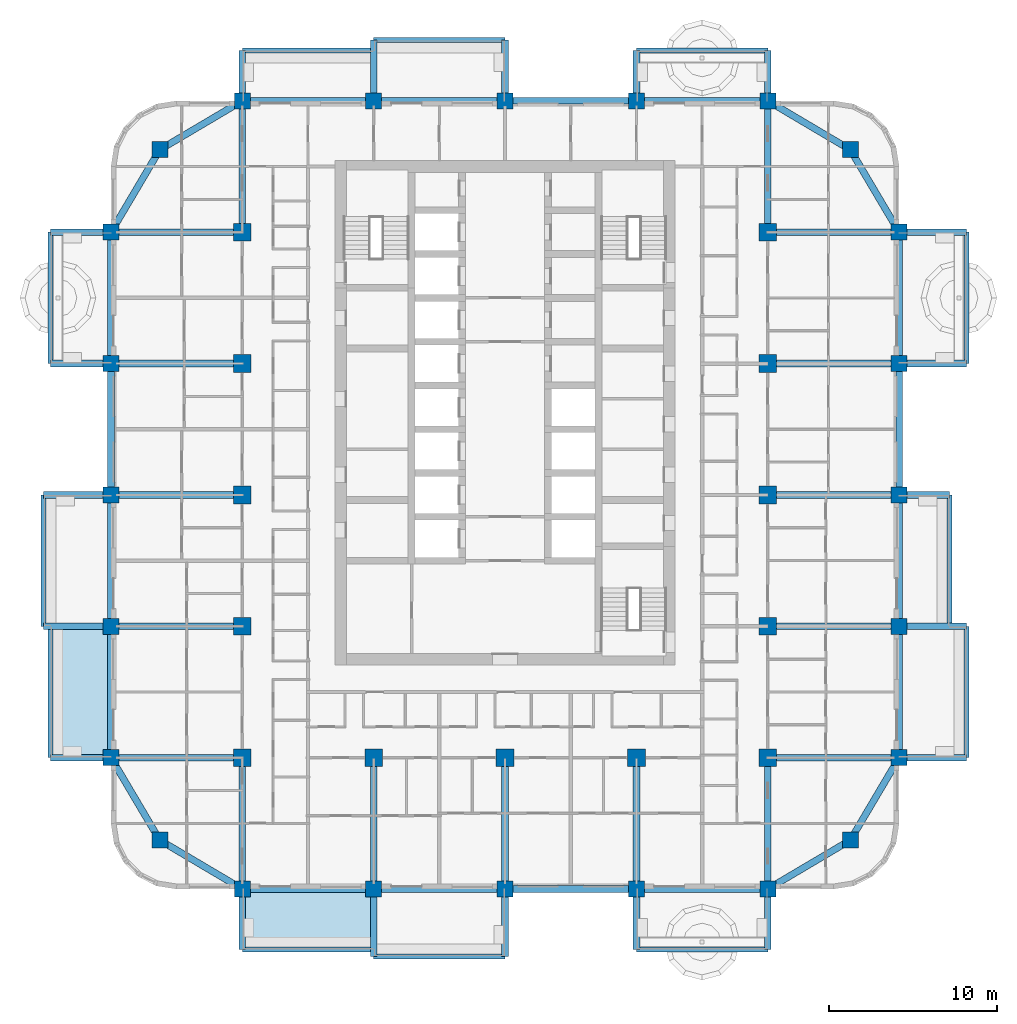
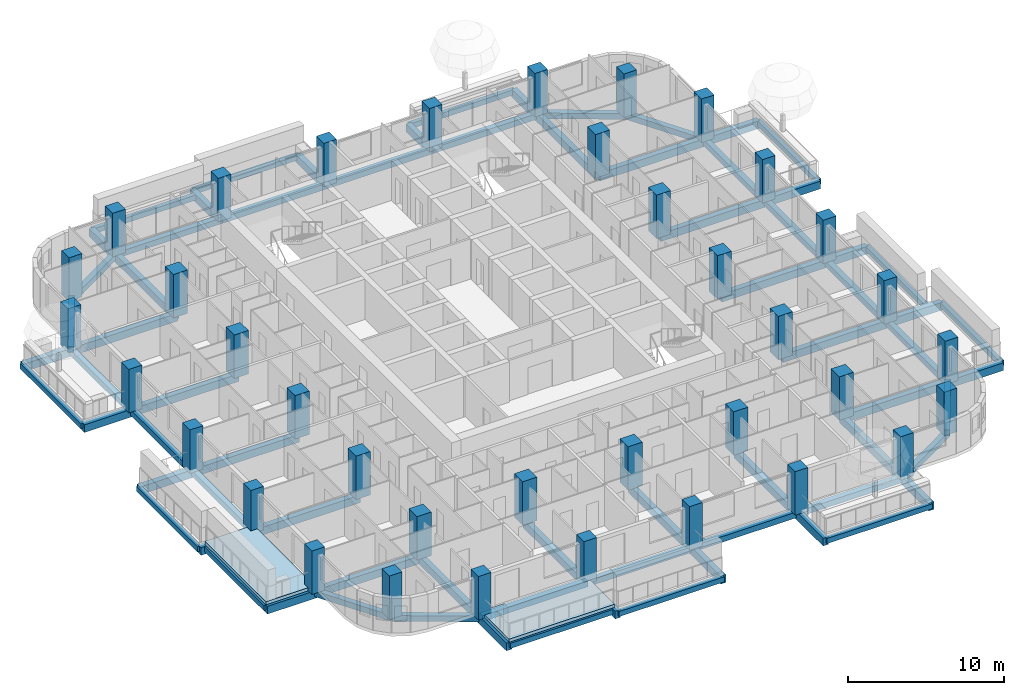
# One storey, part 1 of 19: 73 beams, 37 columns, 2 slabs.
"""IFC4 building model written with IfcOpenShell, lengths in metres."""

from ifc_helpers import new_model, si_unit, direction, frame, origin, origin_2d, place, context, subcontext, project, spatial, polyline, rectangle, outline, extrude, material, layer, layer_set, material_profile, profile_set, type_object, element, save


model = new_model("IFC4")

# Units and contexts
model_context = context("Model", 3, precision=1e-05, world=origin(), true_north=direction((0.0, 1.0)))
body_context = subcontext(model_context, "Body", "Model", "MODEL_VIEW")
ifc_project = project(units=[si_unit("LENGTHUNIT", "METRE"), si_unit("AREAUNIT", "SQUARE_METRE"), si_unit("VOLUMEUNIT", "CUBIC_METRE"), si_unit("PLANEANGLEUNIT", "RADIAN"), si_unit("MASSUNIT", "GRAM", prefix="KILO")], contexts=[model_context])

# Site, building, storey
site_placement = place(None, origin())
site = spatial("IfcSite", under=ifc_project, at=site_placement, CompositionType="ELEMENT")
building_placement = place(site_placement, origin())
building = spatial("IfcBuilding", under=site, at=building_placement, Name="Ludao Terraces", CompositionType="ELEMENT")
storey_placement = place(building_placement, frame((0.0, 0.0, 68.199951171875)))
storey = spatial("IfcBuildingStorey", under=building, at=storey_placement, Name="L18", CompositionType="ELEMENT", Elevation=68.199951171875)

# Columns
ifc_material_1 = material(Name="Concrete C55", Category="concrete")
ifc_material_profile_1 = material_profile(ifc_material_1, rectangle(XDim=1.050048828125, YDim=1.050048828125, at=origin_2d()), Name="1050 X 1050")
ifc_profile_set_1 = profile_set([ifc_material_profile_1], Name="Concrete C55")
column_type_1 = type_object("IfcColumnType", Name="RC column 1050x1050 C55", PredefinedType="COLUMN", material=ifc_profile_set_1)
for number, where, z_axis, x_axis, name in (
    (1, (69.39990234375, 49.39990234375, -0.25), (0.0, 0.0, 1.0), (1.0, 0.0, 0.0), "Column L18 S0078x0078"),
    (2, (69.39990234375, 57.199951171875, -0.25), (0.0, 0.0, 1.0), (1.0, 0.0, 0.0), "Column L18 S0078x0156"),
    (3, (69.39990234375, 65.0, -0.25), (0.0, 0.0, 1.0), (1.0, 0.0, 0.0), "Column L18 S0078x0234"),
    (4, (69.39990234375, 72.800048828125, -0.25), (0.0, 0.0, 1.0), (1.0, 0.0, 0.0), "Column L18 S0078x0312"),
    (5, (69.39990234375, 80.60009765625, -0.25), (0.0, 0.0, 1.0), (1.0, 0.0, 0.0), "Column L18 S0078x0390"),
    (6, (77.199951171875, 49.39990234375, -0.25), (0.0, 0.0, 1.0), (1.0, 0.0, 0.0), "Column L18 S0156x0078"),
    (7, (85.0, 49.39990234375, -0.25), (0.0, 0.0, 1.0), (1.0, 0.0, 0.0), "Column L18 S0234x0078"),
    (8, (92.800048828125, 49.39990234375, -0.25), (0.0, 0.0, 1.0), (1.0, 0.0, 0.0), "Column L18 S0312x0078"),
    (9, (100.60009765625, 49.39990234375, -0.25), (0.0, 0.0, 1.0), (1.0, 0.0, 0.0), "Column L18 S0390x0078"),
    (10, (100.60009765625, 57.199951171875, -0.25), (0.0, 0.0, 1.0), (1.0, 0.0, 0.0), "Column L18 S0390x0156"),
    (11, (100.60009765625, 65.0, -0.25), (0.0, 0.0, 1.0), (1.0, 0.0, 0.0), "Column L18 S0390x0234"),
    (12, (100.60009765625, 72.800048828125, -0.25), (0.0, 0.0, 1.0), (1.0, 0.0, 0.0), "Column L18 S0390x0312"),
    (13, (100.60009765625, 80.60009765625, -0.25), (0.0, 0.0, 1.0), (1.0, 0.0, 0.0), "Column L18 S0390x0390"),
):
    element("IfcColumn", number, at=place(storey_placement, frame(where, z_axis=z_axis, x_axis=x_axis)), inside=storey, type_object=column_type_1, Name=name, PredefinedType="COLUMN", context=body_context, shape_type="SweptSolid", body=[
        extrude(rectangle(XDim=1.050048828125, YDim=1.050048828125, at=origin_2d()), origin(), (0.0, 0.0, 1.0), 3.400146484375),
    ])
ifc_material_profile_2 = material_profile(ifc_material_1, rectangle(XDim=0.949951171875, YDim=0.949951171875, at=origin_2d()), Name="950 X 950")
ifc_profile_set_2 = profile_set([ifc_material_profile_2], Name="Concrete C55")
column_type_2 = type_object("IfcColumnType", Name="RC column 950x950 C55", PredefinedType="COLUMN", material=ifc_profile_set_2)
for number, where, z_axis, x_axis, name in (
    (14, (64.5, 44.5, -0.25), (0.0, 0.0, 1.0), (1.0, 0.0, 0.0), "Column L18 C0029x0029"),
    (15, (105.5, 44.5, -0.25), (0.0, 0.0, 1.0), (1.0, 0.0, 0.0), "Column L18 C0439x0029"),
    (16, (64.5, 85.5, -0.25), (0.0, 0.0, 1.0), (1.0, 0.0, 0.0), "Column L18 C0029x0439"),
    (17, (105.5, 85.5, -0.25), (0.0, 0.0, 1.0), (1.0, 0.0, 0.0), "Column L18 C0439x0439"),
    (18, (61.60009765625, 49.39990234375, -0.25), (0.0, 0.0, 1.0), (1.0, 0.0, 0.0), "Column L18 F0000x0078"),
    (19, (108.39990234375, 49.39990234375, -0.25), (0.0, 0.0, 1.0), (1.0, 0.0, 0.0), "Column L18 F0468x0078"),
    (20, (69.39990234375, 41.60009765625, -0.25), (0.0, 0.0, 1.0), (1.0, 0.0, 0.0), "Column L18 F0078x0000"),
    (21, (69.39990234375, 88.39990234375, -0.25), (0.0, 0.0, 1.0), (1.0, 0.0, 0.0), "Column L18 F0078x0468"),
    (22, (61.60009765625, 57.199951171875, -0.25), (0.0, 0.0, 1.0), (1.0, 0.0, 0.0), "Column L18 F0000x0156"),
    (23, (108.39990234375, 57.199951171875, -0.25), (0.0, 0.0, 1.0), (1.0, 0.0, 0.0), "Column L18 F0468x0156"),
    (24, (77.199951171875, 41.60009765625, -0.25), (0.0, 0.0, 1.0), (1.0, 0.0, 0.0), "Column L18 F0156x0000"),
    (25, (77.199951171875, 88.39990234375, -0.25), (0.0, 0.0, 1.0), (1.0, 0.0, 0.0), "Column L18 F0156x0468"),
    (26, (61.60009765625, 65.0, -0.25), (0.0, 0.0, 1.0), (1.0, 0.0, 0.0), "Column L18 F0000x0234"),
    (27, (108.39990234375, 65.0, -0.25), (0.0, 0.0, 1.0), (1.0, 0.0, 0.0), "Column L18 F0468x0234"),
    (28, (85.0, 41.60009765625, -0.25), (0.0, 0.0, 1.0), (1.0, 0.0, 0.0), "Column L18 F0234x0000"),
    (29, (85.0, 88.39990234375, -0.25), (0.0, 0.0, 1.0), (1.0, 0.0, 0.0), "Column L18 F0234x0468"),
    (30, (61.60009765625, 72.800048828125, -0.25), (0.0, 0.0, 1.0), (1.0, 0.0, 0.0), "Column L18 F0000x0312"),
    (31, (108.39990234375, 72.800048828125, -0.25), (0.0, 0.0, 1.0), (1.0, 0.0, 0.0), "Column L18 F0468x0312"),
    (32, (92.800048828125, 41.60009765625, -0.25), (0.0, 0.0, 1.0), (1.0, 0.0, 0.0), "Column L18 F0312x0000"),
    (33, (92.800048828125, 88.39990234375, -0.25), (0.0, 0.0, 1.0), (1.0, 0.0, 0.0), "Column L18 F0312x0468"),
    (34, (61.60009765625, 80.60009765625, -0.25), (0.0, 0.0, 1.0), (1.0, 0.0, 0.0), "Column L18 F0000x0390"),
    (35, (108.39990234375, 80.60009765625, -0.25), (0.0, 0.0, 1.0), (1.0, 0.0, 0.0), "Column L18 F0468x0390"),
    (36, (100.60009765625, 41.60009765625, -0.25), (0.0, 0.0, 1.0), (1.0, 0.0, 0.0), "Column L18 F0390x0000"),
    (37, (100.60009765625, 88.39990234375, -0.25), (0.0, 0.0, 1.0), (1.0, 0.0, 0.0), "Column L18 F0390x0468"),
):
    element("IfcColumn", number, at=place(storey_placement, frame(where, z_axis=z_axis, x_axis=x_axis)), inside=storey, type_object=column_type_2, Name=name, PredefinedType="COLUMN", context=body_context, shape_type="SweptSolid", body=[
        extrude(rectangle(XDim=0.949951171875, YDim=0.949951171875, at=origin_2d()), origin(), (0.0, 0.0, 1.0), 3.400146484375),
    ])

# Beams
ifc_material_2 = material(Name="Concrete C40", Category="concrete")
ifc_material_profile_3 = material_profile(ifc_material_2, rectangle(XDim=0.300048828125, YDim=0.39990234375, at=origin_2d()), Name="300 X 400")
ifc_profile_set_3 = profile_set([ifc_material_profile_3], Name="Concrete C40")
beam_type_1 = type_object("IfcBeamType", Name="RC beam 300x400 C40", PredefinedType="BEAM", material=ifc_profile_set_3)
for number, where, z_axis, x_axis, name in (
    (38, (69.39990234375, 38.0, -0.449951171875), (1.0, 0.0, 0.0), (0.0, 1.0, 0.0), "Balcony edge beam L18 S1"),
    (39, (77.199951171875, 37.60009765625, -0.449951171875), (1.0, 0.0, 0.0), (0.0, 1.0, 0.0), "Balcony edge beam L18 S2"),
    (40, (92.800048828125, 38.0, -0.449951171875), (1.0, 0.0, 0.0), (0.0, 1.0, 0.0), "Balcony edge beam L18 S4"),
    (41, (112.39990234375, 49.39990234375, -0.449951171875), (0.0, 1.0, 0.0), (-1.0, 0.0, 0.0), "Balcony edge beam L18 E1"),
    (42, (111.39990234375, 57.199951171875, -0.449951171875), (0.0, 1.0, 0.0), (-1.0, 0.0, 0.0), "Balcony edge beam L18 E2"),
    (43, (112.39990234375, 72.800048828125, -0.449951171875), (0.0, 1.0, 0.0), (-1.0, 0.0, 0.0), "Balcony edge beam L18 E4"),
    (44, (69.39990234375, 91.39990234375, -0.449951171875), (1.0, 0.0, 0.0), (0.0, 1.0, 0.0), "Balcony edge beam L18 N1"),
    (45, (77.199951171875, 92.0, -0.449951171875), (1.0, 0.0, 0.0), (0.0, 1.0, 0.0), "Balcony edge beam L18 N2"),
    (46, (92.800048828125, 91.39990234375, -0.449951171875), (1.0, 0.0, 0.0), (0.0, 1.0, 0.0), "Balcony edge beam L18 N4"),
    (47, (58.0, 49.39990234375, -0.449951171875), (0.0, 1.0, 0.0), (-1.0, 0.0, 0.0), "Balcony edge beam L18 W1"),
    (48, (57.60009765625, 57.199951171875, -0.449951171875), (0.0, 1.0, 0.0), (-1.0, 0.0, 0.0), "Balcony edge beam L18 W2"),
    (49, (58.0, 72.800048828125, -0.449951171875), (0.0, 1.0, 0.0), (-1.0, 0.0, 0.0), "Balcony edge beam L18 W4"),
):
    element("IfcBeam", number, at=place(storey_placement, frame(where, z_axis=z_axis, x_axis=x_axis)), inside=storey, type_object=beam_type_1, Name=name, PredefinedType="BEAM", context=body_context, shape_type="SweptSolid", body=[
        extrude(rectangle(XDim=0.300048828125, YDim=0.39990234375, at=origin_2d()), origin(), (0.0, 0.0, 1.0), 7.800048828125),
    ])
ifc_material_profile_4 = material_profile(ifc_material_2, rectangle(XDim=0.39990234375, YDim=0.449951171875, at=origin_2d()), Name="400 X 450")
ifc_profile_set_4 = profile_set([ifc_material_profile_4], Name="Concrete C40")
beam_type_2 = type_object("IfcBeamType", Name="RC beam 400x450 C40", PredefinedType="BEAM", material=ifc_profile_set_4)
beam_1_placement = place(storey_placement, frame((64.5, 44.5, -0.474853515625), z_axis=(0.860579751256, -0.509315709288, 0.0), x_axis=(0.509315709288, 0.860579751256, 0.0)))
element("IfcBeam", 50, at=beam_1_placement, inside=storey, type_object=beam_type_2, Name="Spandrel beam L18 S1", PredefinedType="BEAM", context=body_context, shape_type="SweptSolid", body=[
    extrude(rectangle(XDim=0.39990234375, YDim=0.449951171875, at=origin_2d()), origin(), (0.0, 0.0, 1.0), 5.693603515625),
])
for number, where, z_axis, x_axis, name in (
    (51, (69.39990234375, 41.60009765625, -0.474853515625), (1.0, 0.0, 0.0), (0.0, 1.0, 0.0), "Spandrel beam L18 S2"),
    (52, (77.199951171875, 41.60009765625, -0.474853515625), (1.0, 0.0, 0.0), (0.0, 1.0, 0.0), "Spandrel beam L18 S3"),
    (53, (85.0, 41.60009765625, -0.474853515625), (1.0, 0.0, 0.0), (0.0, 1.0, 0.0), "Spandrel beam L18 S4"),
    (54, (92.800048828125, 41.60009765625, -0.474853515625), (1.0, 0.0, 0.0), (0.0, 1.0, 0.0), "Spandrel beam L18 S5"),
):
    element("IfcBeam", number, at=place(storey_placement, frame(where, z_axis=z_axis, x_axis=x_axis)), inside=storey, type_object=beam_type_2, Name=name, PredefinedType="BEAM", context=body_context, shape_type="SweptSolid", body=[
        extrude(rectangle(XDim=0.39990234375, YDim=0.449951171875, at=origin_2d()), origin(), (0.0, 0.0, 1.0), 7.800048828125),
    ])
for number, where, z_axis, x_axis, name in (
    (55, (100.60009765625, 41.60009765625, -0.474853515625), (0.860579751256, 0.509315709288, 0.0), (-0.509315709288, 0.860579751256, 0.0), "Spandrel beam L18 S6"),
    (56, (64.5, 85.5, -0.474853515625), (0.860579751256, 0.509315709288, 0.0), (-0.509315709288, 0.860579751256, 0.0), "Spandrel beam L18 N7"),
):
    element("IfcBeam", number, at=place(storey_placement, frame(where, z_axis=z_axis, x_axis=x_axis)), inside=storey, type_object=beam_type_2, Name=name, PredefinedType="BEAM", context=body_context, shape_type="SweptSolid", body=[
        extrude(rectangle(XDim=0.39990234375, YDim=0.449951171875, at=origin_2d()), origin(), (0.0, 0.0, 1.0), 5.693603515625),
    ])
for number, where, z_axis, x_axis, name in (
    (57, (69.39990234375, 88.39990234375, -0.474853515625), (1.0, 0.0, 0.0), (0.0, 1.0, 0.0), "Spandrel beam L18 N8"),
    (58, (77.199951171875, 88.39990234375, -0.474853515625), (1.0, 0.0, 0.0), (0.0, 1.0, 0.0), "Spandrel beam L18 N9"),
    (59, (85.0, 88.39990234375, -0.474853515625), (1.0, 0.0, 0.0), (0.0, 1.0, 0.0), "Spandrel beam L18 N10"),
    (60, (92.800048828125, 88.39990234375, -0.474853515625), (1.0, 0.0, 0.0), (0.0, 1.0, 0.0), "Spandrel beam L18 N11"),
):
    element("IfcBeam", number, at=place(storey_placement, frame(where, z_axis=z_axis, x_axis=x_axis)), inside=storey, type_object=beam_type_2, Name=name, PredefinedType="BEAM", context=body_context, shape_type="SweptSolid", body=[
        extrude(rectangle(XDim=0.39990234375, YDim=0.449951171875, at=origin_2d()), origin(), (0.0, 0.0, 1.0), 7.800048828125),
    ])
for number, where, z_axis, x_axis, name in (
    (61, (100.60009765625, 88.39990234375, -0.474853515625), (0.860579751256, -0.509315709288, 0.0), (0.509315709288, 0.860579751256, 0.0), "Spandrel beam L18 N12"),
    (62, (64.5, 44.5, -0.474853515625), (-0.509315709288, 0.860579751256, 0.0), (-0.860579751256, -0.509315709288, 0.0), "Spandrel beam L18 W13"),
):
    element("IfcBeam", number, at=place(storey_placement, frame(where, z_axis=z_axis, x_axis=x_axis)), inside=storey, type_object=beam_type_2, Name=name, PredefinedType="BEAM", context=body_context, shape_type="SweptSolid", body=[
        extrude(rectangle(XDim=0.39990234375, YDim=0.449951171875, at=origin_2d()), origin(), (0.0, 0.0, 1.0), 5.693603515625),
    ])
for number, where, z_axis, x_axis, name in (
    (63, (61.60009765625, 49.39990234375, -0.474853515625), (0.0, 1.0, 0.0), (-1.0, 0.0, 0.0), "Spandrel beam L18 W14"),
    (64, (61.60009765625, 57.199951171875, -0.474853515625), (0.0, 1.0, 0.0), (-1.0, 0.0, 0.0), "Spandrel beam L18 W15"),
    (65, (61.60009765625, 65.0, -0.474853515625), (0.0, 1.0, 0.0), (-1.0, 0.0, 0.0), "Spandrel beam L18 W16"),
    (66, (61.60009765625, 72.800048828125, -0.474853515625), (0.0, 1.0, 0.0), (-1.0, 0.0, 0.0), "Spandrel beam L18 W17"),
):
    element("IfcBeam", number, at=place(storey_placement, frame(where, z_axis=z_axis, x_axis=x_axis)), inside=storey, type_object=beam_type_2, Name=name, PredefinedType="BEAM", context=body_context, shape_type="SweptSolid", body=[
        extrude(rectangle(XDim=0.39990234375, YDim=0.449951171875, at=origin_2d()), origin(), (0.0, 0.0, 1.0), 7.800048828125),
    ])
for number, where, z_axis, x_axis, name in (
    (67, (61.60009765625, 80.60009765625, -0.474853515625), (0.509315709288, 0.860579751256, 0.0), (-0.860579751256, 0.509315709288, 0.0), "Spandrel beam L18 W18"),
    (68, (105.5, 44.5, -0.474853515625), (0.509315709288, 0.860579751256, 0.0), (-0.860579751256, 0.509315709288, 0.0), "Spandrel beam L18 E19"),
):
    element("IfcBeam", number, at=place(storey_placement, frame(where, z_axis=z_axis, x_axis=x_axis)), inside=storey, type_object=beam_type_2, Name=name, PredefinedType="BEAM", context=body_context, shape_type="SweptSolid", body=[
        extrude(rectangle(XDim=0.39990234375, YDim=0.449951171875, at=origin_2d()), origin(), (0.0, 0.0, 1.0), 5.693603515625),
    ])
for number, where, z_axis, x_axis, name in (
    (69, (108.39990234375, 49.39990234375, -0.474853515625), (0.0, 1.0, 0.0), (-1.0, 0.0, 0.0), "Spandrel beam L18 E20"),
    (70, (108.39990234375, 57.199951171875, -0.474853515625), (0.0, 1.0, 0.0), (-1.0, 0.0, 0.0), "Spandrel beam L18 E21"),
    (71, (108.39990234375, 65.0, -0.474853515625), (0.0, 1.0, 0.0), (-1.0, 0.0, 0.0), "Spandrel beam L18 E22"),
    (72, (108.39990234375, 72.800048828125, -0.474853515625), (0.0, 1.0, 0.0), (-1.0, 0.0, 0.0), "Spandrel beam L18 E23"),
):
    element("IfcBeam", number, at=place(storey_placement, frame(where, z_axis=z_axis, x_axis=x_axis)), inside=storey, type_object=beam_type_2, Name=name, PredefinedType="BEAM", context=body_context, shape_type="SweptSolid", body=[
        extrude(rectangle(XDim=0.39990234375, YDim=0.449951171875, at=origin_2d()), origin(), (0.0, 0.0, 1.0), 7.800048828125),
    ])
beam_2_placement = place(storey_placement, frame((108.39990234375, 80.60009765625, -0.474853515625), z_axis=(-0.509315709288, 0.860579751256, 0.0), x_axis=(-0.860579751256, -0.509315709288, 0.0)))
element("IfcBeam", 73, at=beam_2_placement, inside=storey, type_object=beam_type_2, Name="Spandrel beam L18 E24", PredefinedType="BEAM", context=body_context, shape_type="SweptSolid", body=[
    extrude(rectangle(XDim=0.39990234375, YDim=0.449951171875, at=origin_2d()), origin(), (0.0, 0.0, 1.0), 5.693603515625),
])
ifc_material_profile_5 = material_profile(ifc_material_2, rectangle(XDim=0.39990234375, YDim=0.60009765625, at=origin_2d()), Name="400 X 600")
ifc_profile_set_5 = profile_set([ifc_material_profile_5], Name="Concrete C40")
beam_type_3 = type_object("IfcBeamType", Name="RC beam 400x600 C40", PredefinedType="BEAM", material=ifc_profile_set_5)
beam_3_placement = place(storey_placement, frame((100.60009765625, 49.39990234375, -0.550048828125), z_axis=(1.0, 0.0, 0.0), x_axis=(0.0, 1.0, 0.0)))
element("IfcBeam", 74, at=beam_3_placement, inside=storey, type_object=beam_type_3, Name="Balcony beam L18 E494", PredefinedType="BEAM", context=body_context, shape_type="SweptSolid", body=[
    extrude(rectangle(XDim=0.39990234375, YDim=0.60009765625, at=origin_2d()), origin(), (0.0, 0.0, 1.0), 7.7998046875),
])
beam_4_placement = place(storey_placement, frame((108.39990234375, 49.39990234375, -0.550048828125), z_axis=(1.0, 0.0, 0.0), x_axis=(0.0, 1.0, 0.0)))
element("IfcBeam", 75, at=beam_4_placement, inside=storey, type_object=beam_type_3, Name="Balcony beam L18 E494", PredefinedType="BEAM", context=body_context, shape_type="SweptSolid", body=[
    extrude(rectangle(XDim=0.39990234375, YDim=0.60009765625, at=origin_2d()), origin(), (0.0, 0.0, 1.0), 4.0),
])
beam_5_placement = place(storey_placement, frame((100.60009765625, 57.199951171875, -0.550048828125), z_axis=(1.0, 0.0, 0.0), x_axis=(0.0, 1.0, 0.0)))
element("IfcBeam", 76, at=beam_5_placement, inside=storey, type_object=beam_type_3, Name="Balcony beam L18 E572", PredefinedType="BEAM", context=body_context, shape_type="SweptSolid", body=[
    extrude(rectangle(XDim=0.39990234375, YDim=0.60009765625, at=origin_2d()), origin(), (0.0, 0.0, 1.0), 7.7998046875),
])
beam_6_placement = place(storey_placement, frame((108.39990234375, 57.199951171875, -0.550048828125), z_axis=(1.0, 0.0, 0.0), x_axis=(0.0, 1.0, 0.0)))
element("IfcBeam", 77, at=beam_6_placement, inside=storey, type_object=beam_type_3, Name="Balcony beam L18 E572", PredefinedType="BEAM", context=body_context, shape_type="SweptSolid", body=[
    extrude(rectangle(XDim=0.39990234375, YDim=0.60009765625, at=origin_2d()), origin(), (0.0, 0.0, 1.0), 4.0),
])
beam_7_placement = place(storey_placement, frame((100.60009765625, 65.0, -0.550048828125), z_axis=(1.0, 0.0, 0.0), x_axis=(0.0, 1.0, 0.0)))
element("IfcBeam", 78, at=beam_7_placement, inside=storey, type_object=beam_type_3, Name="Balcony beam L18 E650", PredefinedType="BEAM", context=body_context, shape_type="SweptSolid", body=[
    extrude(rectangle(XDim=0.39990234375, YDim=0.60009765625, at=origin_2d()), origin(), (0.0, 0.0, 1.0), 7.7998046875),
])
beam_8_placement = place(storey_placement, frame((108.39990234375, 65.0, -0.550048828125), z_axis=(1.0, 0.0, 0.0), x_axis=(0.0, 1.0, 0.0)))
element("IfcBeam", 79, at=beam_8_placement, inside=storey, type_object=beam_type_3, Name="Balcony beam L18 E650", PredefinedType="BEAM", context=body_context, shape_type="SweptSolid", body=[
    extrude(rectangle(XDim=0.39990234375, YDim=0.60009765625, at=origin_2d()), origin(), (0.0, 0.0, 1.0), 3.0),
])
beam_9_placement = place(storey_placement, frame((100.60009765625, 72.800048828125, -0.550048828125), z_axis=(1.0, 0.0, 0.0), x_axis=(0.0, 1.0, 0.0)))
element("IfcBeam", 80, at=beam_9_placement, inside=storey, type_object=beam_type_3, Name="Balcony beam L18 E728", PredefinedType="BEAM", context=body_context, shape_type="SweptSolid", body=[
    extrude(rectangle(XDim=0.39990234375, YDim=0.60009765625, at=origin_2d()), origin(), (0.0, 0.0, 1.0), 7.7998046875),
])
beam_10_placement = place(storey_placement, frame((108.39990234375, 72.800048828125, -0.550048828125), z_axis=(1.0, 0.0, 0.0), x_axis=(0.0, 1.0, 0.0)))
element("IfcBeam", 81, at=beam_10_placement, inside=storey, type_object=beam_type_3, Name="Balcony beam L18 E728", PredefinedType="BEAM", context=body_context, shape_type="SweptSolid", body=[
    extrude(rectangle(XDim=0.39990234375, YDim=0.60009765625, at=origin_2d()), origin(), (0.0, 0.0, 1.0), 4.0),
])
beam_11_placement = place(storey_placement, frame((100.60009765625, 80.60009765625, -0.550048828125), z_axis=(1.0, 0.0, 0.0), x_axis=(0.0, 1.0, 0.0)))
element("IfcBeam", 82, at=beam_11_placement, inside=storey, type_object=beam_type_3, Name="Balcony beam L18 E806", PredefinedType="BEAM", context=body_context, shape_type="SweptSolid", body=[
    extrude(rectangle(XDim=0.39990234375, YDim=0.60009765625, at=origin_2d()), origin(), (0.0, 0.0, 1.0), 7.7998046875),
])
beam_12_placement = place(storey_placement, frame((108.39990234375, 80.60009765625, -0.550048828125), z_axis=(1.0, 0.0, 0.0), x_axis=(0.0, 1.0, 0.0)))
element("IfcBeam", 83, at=beam_12_placement, inside=storey, type_object=beam_type_3, Name="Balcony beam L18 E806", PredefinedType="BEAM", context=body_context, shape_type="SweptSolid", body=[
    extrude(rectangle(XDim=0.39990234375, YDim=0.60009765625, at=origin_2d()), origin(), (0.0, 0.0, 1.0), 4.0),
])
beam_13_placement = place(storey_placement, frame((100.60009765625, 80.60009765625, -0.550048828125), z_axis=(0.0, 1.0, 0.0), x_axis=(-1.0, 0.0, 0.0)))
element("IfcBeam", 84, at=beam_13_placement, inside=storey, type_object=beam_type_3, Name="Balcony beam L18 N1006", PredefinedType="BEAM", context=body_context, shape_type="SweptSolid", body=[
    extrude(rectangle(XDim=0.39990234375, YDim=0.60009765625, at=origin_2d()), origin(), (0.0, 0.0, 1.0), 7.7998046875),
])
beam_14_placement = place(storey_placement, frame((100.60009765625, 88.39990234375, -0.550048828125), z_axis=(0.0, 1.0, 0.0), x_axis=(-1.0, 0.0, 0.0)))
element("IfcBeam", 85, at=beam_14_placement, inside=storey, type_object=beam_type_3, Name="Balcony beam L18 N1006", PredefinedType="BEAM", context=body_context, shape_type="SweptSolid", body=[
    extrude(rectangle(XDim=0.39990234375, YDim=0.60009765625, at=origin_2d()), origin(), (0.0, 0.0, 1.0), 3.0),
])
beam_15_placement = place(storey_placement, frame((69.39990234375, 80.60009765625, -0.550048828125), z_axis=(0.0, 1.0, 0.0), x_axis=(-1.0, 0.0, 0.0)))
element("IfcBeam", 86, at=beam_15_placement, inside=storey, type_object=beam_type_3, Name="Balcony beam L18 N694", PredefinedType="BEAM", context=body_context, shape_type="SweptSolid", body=[
    extrude(rectangle(XDim=0.39990234375, YDim=0.60009765625, at=origin_2d()), origin(), (0.0, 0.0, 1.0), 7.7998046875),
])
beam_16_placement = place(storey_placement, frame((69.39990234375, 88.39990234375, -0.550048828125), z_axis=(0.0, 1.0, 0.0), x_axis=(-1.0, 0.0, 0.0)))
element("IfcBeam", 87, at=beam_16_placement, inside=storey, type_object=beam_type_3, Name="Balcony beam L18 N694", PredefinedType="BEAM", context=body_context, shape_type="SweptSolid", body=[
    extrude(rectangle(XDim=0.39990234375, YDim=0.60009765625, at=origin_2d()), origin(), (0.0, 0.0, 1.0), 3.0),
])
for number, where, z_axis, x_axis, name in (
    (88, (77.199951171875, 88.39990234375, -0.550048828125), (0.0, 1.0, 0.0), (-1.0, 0.0, 0.0), "Balcony beam L18 N772"),
    (89, (85.0, 88.39990234375, -0.550048828125), (0.0, 1.0, 0.0), (-1.0, 0.0, 0.0), "Balcony beam L18 N850"),
):
    element("IfcBeam", number, at=place(storey_placement, frame(where, z_axis=z_axis, x_axis=x_axis)), inside=storey, type_object=beam_type_3, Name=name, PredefinedType="BEAM", context=body_context, shape_type="SweptSolid", body=[
        extrude(rectangle(XDim=0.39990234375, YDim=0.60009765625, at=origin_2d()), origin(), (0.0, 0.0, 1.0), 3.60009765625),
    ])
beam_17_placement = place(storey_placement, frame((92.800048828125, 88.39990234375, -0.550048828125), z_axis=(0.0, 1.0, 0.0), x_axis=(-1.0, 0.0, 0.0)))
element("IfcBeam", 90, at=beam_17_placement, inside=storey, type_object=beam_type_3, Name="Balcony beam L18 N928", PredefinedType="BEAM", context=body_context, shape_type="SweptSolid", body=[
    extrude(rectangle(XDim=0.39990234375, YDim=0.60009765625, at=origin_2d()), origin(), (0.0, 0.0, 1.0), 3.0),
])
beam_18_placement = place(storey_placement, frame((100.60009765625, 49.39990234375, -0.550048828125), z_axis=(0.0, -1.0, 0.0), x_axis=(1.0, 0.0, 0.0)))
element("IfcBeam", 91, at=beam_18_placement, inside=storey, type_object=beam_type_3, Name="Balcony beam L18 S1006", PredefinedType="BEAM", context=body_context, shape_type="SweptSolid", body=[
    extrude(rectangle(XDim=0.39990234375, YDim=0.60009765625, at=origin_2d()), origin(), (0.0, 0.0, 1.0), 7.7998046875),
])
beam_19_placement = place(storey_placement, frame((100.60009765625, 41.60009765625, -0.550048828125), z_axis=(0.0, -1.0, 0.0), x_axis=(1.0, 0.0, 0.0)))
element("IfcBeam", 92, at=beam_19_placement, inside=storey, type_object=beam_type_3, Name="Balcony beam L18 S1006", PredefinedType="BEAM", context=body_context, shape_type="SweptSolid", body=[
    extrude(rectangle(XDim=0.39990234375, YDim=0.60009765625, at=origin_2d()), origin(), (0.0, 0.0, 1.0), 3.60009765625),
])
beam_20_placement = place(storey_placement, frame((69.39990234375, 49.39990234375, -0.550048828125), z_axis=(0.0, -1.0, 0.0), x_axis=(1.0, 0.0, 0.0)))
element("IfcBeam", 93, at=beam_20_placement, inside=storey, type_object=beam_type_3, Name="Balcony beam L18 S694", PredefinedType="BEAM", context=body_context, shape_type="SweptSolid", body=[
    extrude(rectangle(XDim=0.39990234375, YDim=0.60009765625, at=origin_2d()), origin(), (0.0, 0.0, 1.0), 7.7998046875),
])
beam_21_placement = place(storey_placement, frame((69.39990234375, 41.60009765625, -0.550048828125), z_axis=(0.0, -1.0, 0.0), x_axis=(1.0, 0.0, 0.0)))
element("IfcBeam", 94, at=beam_21_placement, inside=storey, type_object=beam_type_3, Name="Balcony beam L18 S694", PredefinedType="BEAM", context=body_context, shape_type="SweptSolid", body=[
    extrude(rectangle(XDim=0.39990234375, YDim=0.60009765625, at=origin_2d()), origin(), (0.0, 0.0, 1.0), 3.60009765625),
])
beam_22_placement = place(storey_placement, frame((77.199951171875, 49.39990234375, -0.550048828125), z_axis=(0.0, -1.0, 0.0), x_axis=(1.0, 0.0, 0.0)))
element("IfcBeam", 95, at=beam_22_placement, inside=storey, type_object=beam_type_3, Name="Balcony beam L18 S772", PredefinedType="BEAM", context=body_context, shape_type="SweptSolid", body=[
    extrude(rectangle(XDim=0.39990234375, YDim=0.60009765625, at=origin_2d()), origin(), (0.0, 0.0, 1.0), 7.7998046875),
])
beam_23_placement = place(storey_placement, frame((77.199951171875, 41.60009765625, -0.550048828125), z_axis=(0.0, -1.0, 0.0), x_axis=(1.0, 0.0, 0.0)))
element("IfcBeam", 96, at=beam_23_placement, inside=storey, type_object=beam_type_3, Name="Balcony beam L18 S772", PredefinedType="BEAM", context=body_context, shape_type="SweptSolid", body=[
    extrude(rectangle(XDim=0.39990234375, YDim=0.60009765625, at=origin_2d()), origin(), (0.0, 0.0, 1.0), 4.0),
])
beam_24_placement = place(storey_placement, frame((85.0, 49.39990234375, -0.550048828125), z_axis=(0.0, -1.0, 0.0), x_axis=(1.0, 0.0, 0.0)))
element("IfcBeam", 97, at=beam_24_placement, inside=storey, type_object=beam_type_3, Name="Balcony beam L18 S850", PredefinedType="BEAM", context=body_context, shape_type="SweptSolid", body=[
    extrude(rectangle(XDim=0.39990234375, YDim=0.60009765625, at=origin_2d()), origin(), (0.0, 0.0, 1.0), 7.7998046875),
])
beam_25_placement = place(storey_placement, frame((85.0, 41.60009765625, -0.550048828125), z_axis=(0.0, -1.0, 0.0), x_axis=(1.0, 0.0, 0.0)))
element("IfcBeam", 98, at=beam_25_placement, inside=storey, type_object=beam_type_3, Name="Balcony beam L18 S850", PredefinedType="BEAM", context=body_context, shape_type="SweptSolid", body=[
    extrude(rectangle(XDim=0.39990234375, YDim=0.60009765625, at=origin_2d()), origin(), (0.0, 0.0, 1.0), 4.0),
])
beam_26_placement = place(storey_placement, frame((92.800048828125, 49.39990234375, -0.550048828125), z_axis=(0.0, -1.0, 0.0), x_axis=(1.0, 0.0, 0.0)))
element("IfcBeam", 99, at=beam_26_placement, inside=storey, type_object=beam_type_3, Name="Balcony beam L18 S928", PredefinedType="BEAM", context=body_context, shape_type="SweptSolid", body=[
    extrude(rectangle(XDim=0.39990234375, YDim=0.60009765625, at=origin_2d()), origin(), (0.0, 0.0, 1.0), 7.7998046875),
])
beam_27_placement = place(storey_placement, frame((92.800048828125, 41.60009765625, -0.550048828125), z_axis=(0.0, -1.0, 0.0), x_axis=(1.0, 0.0, 0.0)))
element("IfcBeam", 100, at=beam_27_placement, inside=storey, type_object=beam_type_3, Name="Balcony beam L18 S928", PredefinedType="BEAM", context=body_context, shape_type="SweptSolid", body=[
    extrude(rectangle(XDim=0.39990234375, YDim=0.60009765625, at=origin_2d()), origin(), (0.0, 0.0, 1.0), 3.60009765625),
])
beam_28_placement = place(storey_placement, frame((69.39990234375, 49.39990234375, -0.550048828125), z_axis=(-1.0, 0.0, 0.0), x_axis=(0.0, -1.0, 0.0)))
element("IfcBeam", 101, at=beam_28_placement, inside=storey, type_object=beam_type_3, Name="Balcony beam L18 W494", PredefinedType="BEAM", context=body_context, shape_type="SweptSolid", body=[
    extrude(rectangle(XDim=0.39990234375, YDim=0.60009765625, at=origin_2d()), origin(), (0.0, 0.0, 1.0), 7.7998046875),
])
beam_29_placement = place(storey_placement, frame((61.60009765625, 49.39990234375, -0.550048828125), z_axis=(-1.0, 0.0, 0.0), x_axis=(0.0, -1.0, 0.0)))
element("IfcBeam", 102, at=beam_29_placement, inside=storey, type_object=beam_type_3, Name="Balcony beam L18 W494", PredefinedType="BEAM", context=body_context, shape_type="SweptSolid", body=[
    extrude(rectangle(XDim=0.39990234375, YDim=0.60009765625, at=origin_2d()), origin(), (0.0, 0.0, 1.0), 3.60009765625),
])
beam_30_placement = place(storey_placement, frame((69.39990234375, 57.199951171875, -0.550048828125), z_axis=(-1.0, 0.0, 0.0), x_axis=(0.0, -1.0, 0.0)))
element("IfcBeam", 103, at=beam_30_placement, inside=storey, type_object=beam_type_3, Name="Balcony beam L18 W572", PredefinedType="BEAM", context=body_context, shape_type="SweptSolid", body=[
    extrude(rectangle(XDim=0.39990234375, YDim=0.60009765625, at=origin_2d()), origin(), (0.0, 0.0, 1.0), 7.7998046875),
])
beam_31_placement = place(storey_placement, frame((61.60009765625, 57.199951171875, -0.550048828125), z_axis=(-1.0, 0.0, 0.0), x_axis=(0.0, -1.0, 0.0)))
element("IfcBeam", 104, at=beam_31_placement, inside=storey, type_object=beam_type_3, Name="Balcony beam L18 W572", PredefinedType="BEAM", context=body_context, shape_type="SweptSolid", body=[
    extrude(rectangle(XDim=0.39990234375, YDim=0.60009765625, at=origin_2d()), origin(), (0.0, 0.0, 1.0), 4.0),
])
beam_32_placement = place(storey_placement, frame((69.39990234375, 65.0, -0.550048828125), z_axis=(-1.0, 0.0, 0.0), x_axis=(0.0, -1.0, 0.0)))
element("IfcBeam", 105, at=beam_32_placement, inside=storey, type_object=beam_type_3, Name="Balcony beam L18 W650", PredefinedType="BEAM", context=body_context, shape_type="SweptSolid", body=[
    extrude(rectangle(XDim=0.39990234375, YDim=0.60009765625, at=origin_2d()), origin(), (0.0, 0.0, 1.0), 7.7998046875),
])
beam_33_placement = place(storey_placement, frame((61.60009765625, 65.0, -0.550048828125), z_axis=(-1.0, 0.0, 0.0), x_axis=(0.0, -1.0, 0.0)))
element("IfcBeam", 106, at=beam_33_placement, inside=storey, type_object=beam_type_3, Name="Balcony beam L18 W650", PredefinedType="BEAM", context=body_context, shape_type="SweptSolid", body=[
    extrude(rectangle(XDim=0.39990234375, YDim=0.60009765625, at=origin_2d()), origin(), (0.0, 0.0, 1.0), 4.0),
])
beam_34_placement = place(storey_placement, frame((69.39990234375, 72.800048828125, -0.550048828125), z_axis=(-1.0, 0.0, 0.0), x_axis=(0.0, -1.0, 0.0)))
element("IfcBeam", 107, at=beam_34_placement, inside=storey, type_object=beam_type_3, Name="Balcony beam L18 W728", PredefinedType="BEAM", context=body_context, shape_type="SweptSolid", body=[
    extrude(rectangle(XDim=0.39990234375, YDim=0.60009765625, at=origin_2d()), origin(), (0.0, 0.0, 1.0), 7.7998046875),
])
beam_35_placement = place(storey_placement, frame((61.60009765625, 72.800048828125, -0.550048828125), z_axis=(-1.0, 0.0, 0.0), x_axis=(0.0, -1.0, 0.0)))
element("IfcBeam", 108, at=beam_35_placement, inside=storey, type_object=beam_type_3, Name="Balcony beam L18 W728", PredefinedType="BEAM", context=body_context, shape_type="SweptSolid", body=[
    extrude(rectangle(XDim=0.39990234375, YDim=0.60009765625, at=origin_2d()), origin(), (0.0, 0.0, 1.0), 3.60009765625),
])
beam_36_placement = place(storey_placement, frame((69.39990234375, 80.60009765625, -0.550048828125), z_axis=(-1.0, 0.0, 0.0), x_axis=(0.0, -1.0, 0.0)))
element("IfcBeam", 109, at=beam_36_placement, inside=storey, type_object=beam_type_3, Name="Balcony beam L18 W806", PredefinedType="BEAM", context=body_context, shape_type="SweptSolid", body=[
    extrude(rectangle(XDim=0.39990234375, YDim=0.60009765625, at=origin_2d()), origin(), (0.0, 0.0, 1.0), 7.7998046875),
])
beam_37_placement = place(storey_placement, frame((61.60009765625, 80.60009765625, -0.550048828125), z_axis=(-1.0, 0.0, 0.0), x_axis=(0.0, -1.0, 0.0)))
element("IfcBeam", 110, at=beam_37_placement, inside=storey, type_object=beam_type_3, Name="Balcony beam L18 W806", PredefinedType="BEAM", context=body_context, shape_type="SweptSolid", body=[
    extrude(rectangle(XDim=0.39990234375, YDim=0.60009765625, at=origin_2d()), origin(), (0.0, 0.0, 1.0), 3.60009765625),
])

# Slabs
ifc_layer = layer(ifc_material_2, 0.25)
ifc_layer_set = layer_set([ifc_layer], Name="Balcony slab 250 C40")
slab_type = type_object("IfcSlabType", Name="Balcony slab 250 C40", PredefinedType="USERDEFINED", material=ifc_layer_set)
slab_1_placement = place(storey_placement, frame((0.0, 0.0, -0.25)))
element("IfcSlab", 111, at=slab_1_placement, inside=storey, type_object=slab_type, Name="Balcony L18 S1", ObjectType="BALCONY", PredefinedType="USERDEFINED", context=body_context, shape_type="SweptSolid", body=[
    extrude(outline(polyline([(69.39990234375, 38.0), (77.199951171875, 38.0), (77.199951171875, 41.60009765625), (69.39990234375, 41.60009765625), (69.39990234375, 38.0)])), origin(), (0.0, 0.0, 1.0), 0.25),
])
slab_2_placement = place(storey_placement, frame((0.0, 0.0, -0.25)))
element("IfcSlab", 112, at=slab_2_placement, inside=storey, type_object=slab_type, Name="Balcony L18 W1", ObjectType="BALCONY", PredefinedType="USERDEFINED", context=body_context, shape_type="SweptSolid", body=[
    extrude(outline(polyline([(58.0, 49.39990234375), (61.60009765625, 49.39990234375), (61.60009765625, 57.199951171875), (58.0, 57.199951171875), (58.0, 49.39990234375)])), origin(), (0.0, 0.0, 1.0), 0.25),
])

save(model, "model.ifc")
